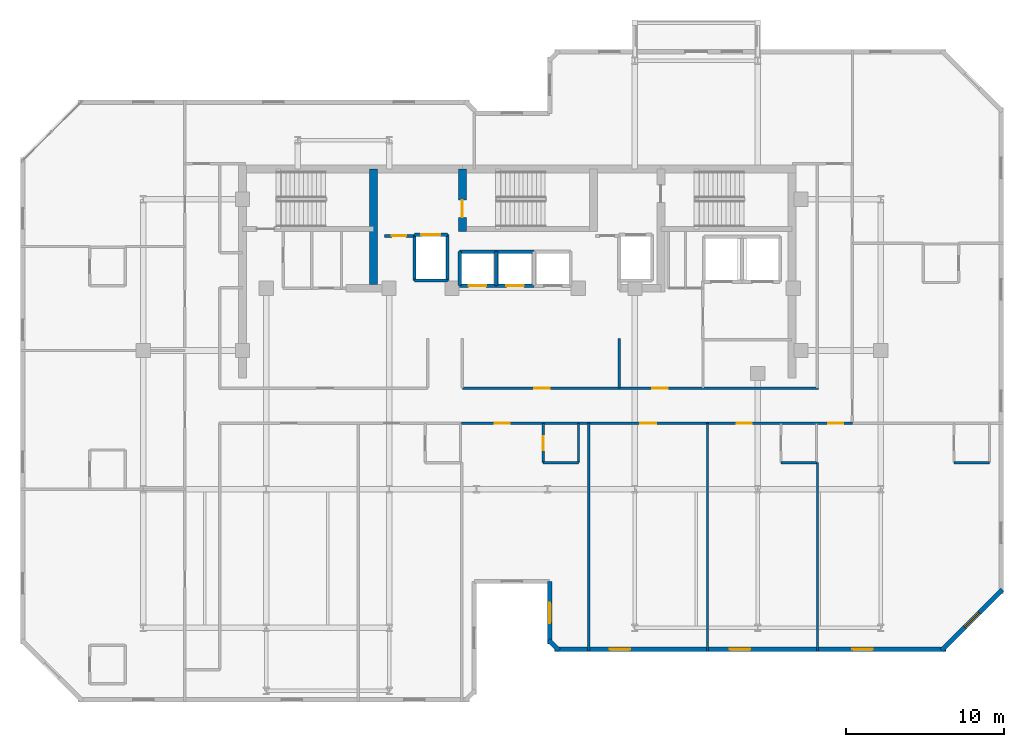
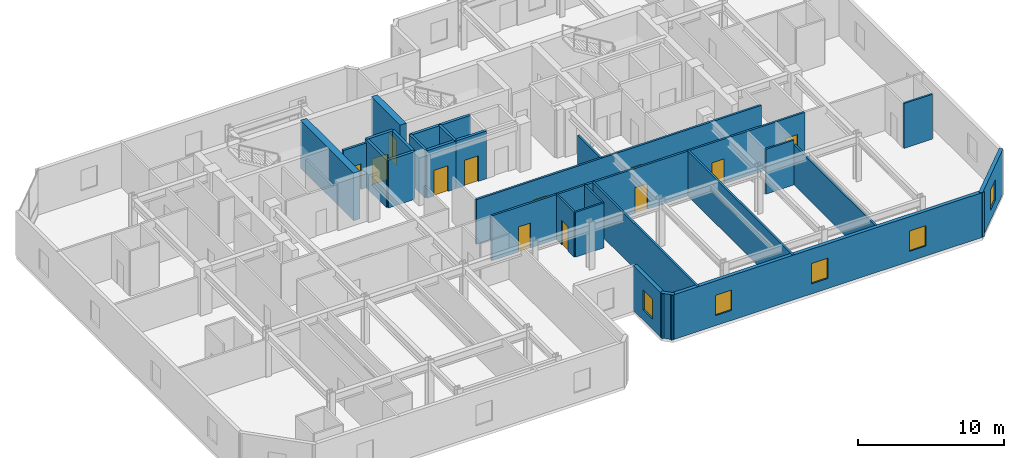
# One storey, part 5 of 9: 28 walls, 12 doors, 5 windows, 17 openings.
"""IFC4 building model written with IfcOpenShell, lengths in metres."""

from ifc_helpers import new_model, si_unit, direction, frame, frame_2d, origin, place, context, subcontext, project, spatial, rectangle, extrude, material, layer, layer_set, type_object, element, fill, save


model = new_model("IFC4")

# Units and contexts
model_context = context("Model", 3, precision=1e-05, world=origin(), true_north=direction((0.0, 1.0)))
body_context = subcontext(model_context, "Body", "Model", "MODEL_VIEW")
ifc_project = project(units=[si_unit("LENGTHUNIT", "METRE"), si_unit("AREAUNIT", "SQUARE_METRE"), si_unit("VOLUMEUNIT", "CUBIC_METRE"), si_unit("PLANEANGLEUNIT", "RADIAN"), si_unit("MASSUNIT", "GRAM", prefix="KILO")], contexts=[model_context])

# Site, building, storey
site_placement = place(None, origin())
site = spatial("IfcSite", under=ifc_project, at=site_placement, CompositionType="ELEMENT")
building_placement = place(site_placement, origin())
building = spatial("IfcBuilding", under=site, at=building_placement, Name="Kestravale Grand Hotel", CompositionType="ELEMENT")
storey_placement = place(building_placement, frame((0.0, 0.0, 257.39990234375)))
storey = spatial("IfcBuildingStorey", under=building, at=storey_placement, Name="L64", CompositionType="ELEMENT", Elevation=257.39990234375)

# Wall
ifc_material_1 = material(Name="Concrete f'c 50 MPa", Category="concrete")
ifc_layer_1 = layer(ifc_material_1, 0.5)
ifc_layer_set_1 = layer_set([ifc_layer_1], Name="EW-CORE-500")
wall_type_1 = type_object("IfcWallType", Name="EW-CORE-500", PredefinedType="SHEAR", material=ifc_layer_set_1)
wall_1_placement = place(storey_placement, frame((30.219970703125, 33.0, 0.0), z_axis=(0.0, 0.0, 1.0), x_axis=(0.0, 1.0, 0.0)))
element("IfcWall", 1, at=wall_1_placement, inside=storey, type_object=wall_type_1, Name="L64 core shear wall X1", PredefinedType="SHEAR", context=body_context, shape_type="SweptSolid", body=[
    extrude(rectangle(XDim=7.320068359375, YDim=0.5, at=frame_2d((3.66015625, 0.0))), origin(), (0.0, 0.0, 1.0), 4.0),
])

# Wall, opening, door
wall_2_placement = place(storey_placement, frame((35.85009765625, 36.3701171875, 0.0), z_axis=(0.0, 0.0, 1.0), x_axis=(0.0, 1.0, 0.0)))
wall_2 = element("IfcWall", 2, at=wall_2_placement, inside=storey, type_object=wall_type_1, Name="L64 core shear wall X2", PredefinedType="SHEAR", context=body_context, shape_type="SweptSolid", body=[
    extrude(rectangle(XDim=3.949951171875, YDim=0.5, at=frame_2d((1.97509765625, 0.0))), origin(), (0.0, 0.0, 1.0), 4.0),
])
opening_1_placement = place(wall_2_placement, frame((0.8798828125, 0.0, 0.0)))
opening_1 = element("IfcOpeningElement", 3, at=opening_1_placement, cuts=wall_2, Name="Opening D-ST-1100", PredefinedType="OPENING", context=body_context, shape_type="SweptSolid", body=[
    extrude(rectangle(XDim=1.10009765625, YDim=2.14990234375, at=frame_2d((0.550048828125, 1.074951171875))), frame((0.0, 0.260009765625, 0.0), z_axis=(0.0, -1.0, 0.0), x_axis=(1.0, 0.0, 0.0)), (0.0, 0.0, 1.0), 0.52001953125),
])
ifc_material_2 = material(Name="Galvanised 90-minute fire-rated steel stair door", Category="steel")
door_type_1 = type_object("IfcDoorType", Name="D-ST-1100", OperationType="NOTDEFINED", PredefinedType="DOOR", material=ifc_material_2)
door_1_placement = place(opening_1_placement, origin())
door_1 = element("IfcDoor", 4, at=door_1_placement, inside=storey, type_object=door_type_1, Name="L64 Stair ST-2 FSAE fire door", OperationType="SINGLE_SWING_RIGHT", OverallHeight=2.14990234375, OverallWidth=1.10009765625, PredefinedType="DOOR", context=body_context, shape_type="SweptSolid", body=[
    extrude(rectangle(XDim=1.10009765625, YDim=2.14990234375, at=frame_2d((0.550048828125, 1.074951171875))), frame((0.0, 0.02490234375, 0.0), z_axis=(0.0, -1.0, 0.0), x_axis=(1.0, 0.0, 0.0)), (0.0, 0.0, 1.0), 0.050048828125),
])
fill(opening_1, door_1)

# Wall, opening, window
ifc_material_3 = material(Name="Precast concrete f'c 45 MPa", Category="concrete")
ifc_layer_2 = layer(ifc_material_3, 0.280029296875)
ifc_layer_set_2 = layer_set([ifc_layer_2], Name="EW-PREC-280")
wall_type_2 = type_object("IfcWallType", Name="EW-PREC-280", PredefinedType="SOLIDWALL", material=ifc_layer_set_2)
wall_3_placement = place(storey_placement, frame((41.389892578125, 14.139892578125, 0.0), z_axis=(0.0, 0.0, 1.0), x_axis=(0.0, -1.0, 0.0)))
wall_3 = element("IfcWall", 5, at=wall_3_placement, inside=storey, type_object=wall_type_2, Name="L64 fluted precast facade wall 5", PredefinedType="SOLIDWALL", context=body_context, shape_type="SweptSolid", body=[
    extrude(rectangle(XDim=3.97998046875, YDim=0.280029296875, at=frame_2d((1.989990234375, 0.0))), origin(), (0.0, 0.0, 1.0), 3.760009765625),
])
opening_2_placement = place(wall_3_placement, frame((1.340087890625, 0.0, 0.85009765625)))
opening_2 = element("IfcOpeningElement", 6, at=opening_2_placement, cuts=wall_3, Name="Opening W-GUEST-1300", PredefinedType="OPENING", context=body_context, shape_type="SweptSolid", body=[
    extrude(rectangle(XDim=1.300048828125, YDim=1.699951171875, at=frame_2d((0.64990234375, 0.85009765625))), frame((0.0, 0.14990234375, 0.0), z_axis=(0.0, -1.0, 0.0), x_axis=(1.0, 0.0, 0.0)), (0.0, 0.0, 1.0), 0.300048828125),
])
ifc_material_4 = material(Name="Insulated low-E double glazing in aluminium frame", Category="aluminium")
window_type = type_object("IfcWindowType", Name="W-GUEST-1300", PartitioningType="SINGLE_PANEL", PredefinedType="WINDOW", material=ifc_material_4)
window_1_placement = place(opening_2_placement, origin())
window_1 = element("IfcWindow", 7, at=window_1_placement, inside=storey, type_object=window_type, Name="L64 exterior window 5.1", OverallHeight=1.699951171875, OverallWidth=1.300048828125, PartitioningType="SINGLE_PANEL", PredefinedType="WINDOW", context=body_context, shape_type="SweptSolid", body=[
    extrude(rectangle(XDim=1.300048828125, YDim=1.699951171875, at=frame_2d((0.64990234375, 0.85009765625))), frame((0.0, 0.030029296875, 0.0), z_axis=(0.0, -1.0, 0.0), x_axis=(1.0, 0.0, 0.0)), (0.0, 0.0, 1.0), 0.06005859375),
])
fill(opening_2, window_1)

# Wall
wall_4_placement = place(storey_placement, frame((41.32080078125, 10.42724609375, 0.0), z_axis=(0.0, 0.0, 1.0), x_axis=(0.707106781187, -0.707106781187, 0.0)))
element("IfcWall", 8, at=wall_4_placement, inside=storey, type_object=wall_type_2, Name="L64 fluted precast facade wall 6", PredefinedType="SOLIDWALL", context=body_context, shape_type="SweptSolid", body=[
    extrude(rectangle(XDim=0.928466796875, YDim=0.280029296875, at=frame_2d((0.46435546875, 0.0))), origin(), (0.0, 0.0, 1.0), 3.760009765625),
])

# Wall, openings, windows
wall_5_placement = place(storey_placement, frame((41.7099609375, 9.840087890625, 0.0), z_axis=(0.0, 0.0, 1.0), x_axis=(1.0, 0.0, 0.0)))
wall_5 = element("IfcWall", 9, at=wall_5_placement, inside=storey, type_object=wall_type_2, Name="L64 fluted precast facade wall 7", PredefinedType="SOLIDWALL", context=body_context, shape_type="SweptSolid", body=[
    extrude(rectangle(XDim=24.830078125, YDim=0.280029296875, at=frame_2d((12.4150390625, 0.0))), origin(), (0.0, 0.0, 1.0), 3.760009765625),
])
opening_3_placement = place(wall_5_placement, frame((3.48828125, 0.0, 0.85009765625)))
opening_3 = element("IfcOpeningElement", 10, at=opening_3_placement, cuts=wall_5, Name="Opening W-GUEST-1300", PredefinedType="OPENING", context=body_context, shape_type="SweptSolid", body=[
    extrude(rectangle(XDim=1.300048828125, YDim=1.699951171875, at=frame_2d((0.64990234375, 0.85009765625))), frame((0.0, 0.14990234375, 0.0), z_axis=(0.0, -1.0, 0.0), x_axis=(1.0, 0.0, 0.0)), (0.0, 0.0, 1.0), 0.300048828125),
])
opening_4_placement = place(wall_5_placement, frame((11.114990234375, 0.0, 0.85009765625)))
opening_4 = element("IfcOpeningElement", 11, at=opening_4_placement, cuts=wall_5, Name="Opening W-GUEST-1300", PredefinedType="OPENING", context=body_context, shape_type="SweptSolid", body=[
    extrude(rectangle(XDim=1.300048828125, YDim=1.699951171875, at=frame_2d((0.64990234375, 0.85009765625))), frame((0.0, 0.14990234375, 0.0), z_axis=(0.0, -1.0, 0.0), x_axis=(1.0, 0.0, 0.0)), (0.0, 0.0, 1.0), 0.300048828125),
])
opening_5_placement = place(wall_5_placement, frame((18.8916015625, 0.0, 0.85009765625)))
opening_5 = element("IfcOpeningElement", 12, at=opening_5_placement, cuts=wall_5, Name="Opening W-GUEST-1300", PredefinedType="OPENING", context=body_context, shape_type="SweptSolid", body=[
    extrude(rectangle(XDim=1.300048828125, YDim=1.699951171875, at=frame_2d((0.64990234375, 0.85009765625))), frame((0.0, 0.14990234375, 0.0), z_axis=(0.0, -1.0, 0.0), x_axis=(1.0, 0.0, 0.0)), (0.0, 0.0, 1.0), 0.300048828125),
])
window_2_placement = place(opening_3_placement, origin())
window_2 = element("IfcWindow", 13, at=window_2_placement, inside=storey, type_object=window_type, Name="L64 exterior window 7.1", OverallHeight=1.699951171875, OverallWidth=1.300048828125, PartitioningType="SINGLE_PANEL", PredefinedType="WINDOW", context=body_context, shape_type="SweptSolid", body=[
    extrude(rectangle(XDim=1.300048828125, YDim=1.699951171875, at=frame_2d((0.64990234375, 0.85009765625))), frame((0.0, 0.030029296875, 0.0), z_axis=(0.0, -1.0, 0.0), x_axis=(1.0, 0.0, 0.0)), (0.0, 0.0, 1.0), 0.06005859375),
])
fill(opening_3, window_2)
window_3_placement = place(opening_4_placement, origin())
window_3 = element("IfcWindow", 14, at=window_3_placement, inside=storey, type_object=window_type, Name="L64 exterior window 7.2", OverallHeight=1.699951171875, OverallWidth=1.300048828125, PartitioningType="SINGLE_PANEL", PredefinedType="WINDOW", context=body_context, shape_type="SweptSolid", body=[
    extrude(rectangle(XDim=1.300048828125, YDim=1.699951171875, at=frame_2d((0.64990234375, 0.85009765625))), frame((0.0, 0.030029296875, 0.0), z_axis=(0.0, -1.0, 0.0), x_axis=(1.0, 0.0, 0.0)), (0.0, 0.0, 1.0), 0.06005859375),
])
fill(opening_4, window_3)
window_4_placement = place(opening_5_placement, origin())
window_4 = element("IfcWindow", 15, at=window_4_placement, inside=storey, type_object=window_type, Name="L64 exterior window 7.3", OverallHeight=1.699951171875, OverallWidth=1.300048828125, PartitioningType="SINGLE_PANEL", PredefinedType="WINDOW", context=body_context, shape_type="SweptSolid", body=[
    extrude(rectangle(XDim=1.300048828125, YDim=1.699951171875, at=frame_2d((0.64990234375, 0.85009765625))), frame((0.0, 0.030029296875, 0.0), z_axis=(0.0, -1.0, 0.0), x_axis=(1.0, 0.0, 0.0)), (0.0, 0.0, 1.0), 0.06005859375),
])
fill(opening_5, window_4)

# Wall, opening, window
wall_6_placement = place(storey_placement, frame((66.272705078125, 9.770751953125, 0.0), z_axis=(0.0, 0.0, 1.0), x_axis=(0.707129162587, 0.707084399077, 0.0)))
wall_6 = element("IfcWall", 16, at=wall_6_placement, inside=storey, type_object=wall_type_2, Name="L64 fluted precast facade wall 8", PredefinedType="SOLIDWALL", context=body_context, shape_type="SweptSolid", body=[
    extrude(rectangle(XDim=5.4541015625, YDim=0.280029296875, at=frame_2d((2.72705078125, 0.0))), origin(), (0.0, 0.0, 1.0), 3.760009765625),
])
opening_6_placement = place(wall_6_placement, frame((2.076904296875, 0.0, 0.85009765625)))
opening_6 = element("IfcOpeningElement", 17, at=opening_6_placement, cuts=wall_6, Name="Opening W-GUEST-1300", PredefinedType="OPENING", context=body_context, shape_type="SweptSolid", body=[
    extrude(rectangle(XDim=1.300048828125, YDim=1.699951171875, at=frame_2d((0.64990234375, 0.85009765625))), frame((0.0, 0.14990234375, 0.0), z_axis=(0.0, -1.0, 0.0), x_axis=(1.0, 0.0, 0.0)), (0.0, 0.0, 1.0), 0.300048828125),
])
window_5_placement = place(opening_6_placement, origin())
window_5 = element("IfcWindow", 18, at=window_5_placement, inside=storey, type_object=window_type, Name="L64 exterior window 8.1", OverallHeight=1.699951171875, OverallWidth=1.300048828125, PartitioningType="SINGLE_PANEL", PredefinedType="WINDOW", context=body_context, shape_type="SweptSolid", body=[
    extrude(rectangle(XDim=1.300048828125, YDim=1.699951171875, at=frame_2d((0.64990234375, 0.85009765625))), frame((0.0, 0.030029296875, 0.0), z_axis=(0.0, -1.0, 0.0), x_axis=(1.0, 0.0, 0.0)), (0.0, 0.0, 1.0), 0.06005859375),
])
fill(opening_6, window_5)

# Wall, openings, doors
ifc_material_5 = material(Name="Acoustic fire-rated gypsum board partition", Category="other")
ifc_layer_3 = layer(ifc_material_5, 0.159912109375)
ifc_layer_set_3 = layer_set([ifc_layer_3], Name="IW-CORR-160")
wall_type_3 = type_object("IfcWallType", Name="IW-CORR-160", PredefinedType="PARTITIONING", material=ifc_layer_set_3)
wall_7_placement = place(storey_placement, frame((35.85009765625, 26.409912109375, 0.0), z_axis=(0.0, 0.0, 1.0), x_axis=(1.0, 0.0, 0.0)))
wall_7 = element("IfcWall", 19, at=wall_7_placement, inside=storey, type_object=wall_type_3, Name="W-L64-CE-N", PredefinedType="PARTITIONING", context=body_context, shape_type="SweptSolid", body=[
    extrude(rectangle(XDim=22.599853515625, YDim=0.159912109375, at=frame_2d((11.2998046875, 0.0))), origin(), (0.0, 0.0, 1.0), 3.760009765625),
])
opening_7_placement = place(wall_7_placement, frame((4.550048828125, 0.0, 0.0)))
opening_7 = element("IfcOpeningElement", 20, at=opening_7_placement, cuts=wall_7, Name="Opening D-GUEST-1000", PredefinedType="OPENING", context=body_context, shape_type="SweptSolid", body=[
    extrude(rectangle(XDim=1.0, YDim=2.14990234375, at=frame_2d((0.5, 1.074951171875))), frame((0.0, 0.08984375, 0.0), z_axis=(0.0, -1.0, 0.0), x_axis=(1.0, 0.0, 0.0)), (0.0, 0.0, 1.0), 0.179931640625),
])
opening_8_placement = place(wall_7_placement, frame((12.050048828125, 0.0, 0.0)))
opening_8 = element("IfcOpeningElement", 21, at=opening_8_placement, cuts=wall_7, Name="Opening D-GUEST-1000", PredefinedType="OPENING", context=body_context, shape_type="SweptSolid", body=[
    extrude(rectangle(XDim=1.0, YDim=2.14990234375, at=frame_2d((0.5, 1.074951171875))), frame((0.0, 0.08984375, 0.0), z_axis=(0.0, -1.0, 0.0), x_axis=(1.0, 0.0, 0.0)), (0.0, 0.0, 1.0), 0.179931640625),
])
ifc_material_6 = material(Name="Accessible walnut veneer hotel entrance fire door", Category="wood")
door_type_2 = type_object("IfcDoorType", Name="D-GUEST-1000", OperationType="NOTDEFINED", PredefinedType="DOOR", material=ifc_material_6)
door_2_placement = place(opening_7_placement, origin())
door_2 = element("IfcDoor", 22, at=door_2_placement, inside=storey, type_object=door_type_2, Name="D-L64-RECL-E1", OperationType="SINGLE_SWING_RIGHT", OverallHeight=2.14990234375, OverallWidth=1.0, PredefinedType="DOOR", context=body_context, shape_type="SweptSolid", body=[
    extrude(rectangle(XDim=1.0, YDim=2.14990234375, at=frame_2d((0.5, 1.074951171875))), frame((0.0, 0.02490234375, 0.0), z_axis=(0.0, -1.0, 0.0), x_axis=(1.0, 0.0, 0.0)), (0.0, 0.0, 1.0), 0.050048828125),
])
fill(opening_7, door_2)
door_3_placement = place(opening_8_placement, origin())
door_3 = element("IfcDoor", 23, at=door_3_placement, inside=storey, type_object=door_type_2, Name="D-L64-RECL-E2", OperationType="SINGLE_SWING_LEFT", OverallHeight=2.14990234375, OverallWidth=1.0, PredefinedType="DOOR", context=body_context, shape_type="SweptSolid", body=[
    extrude(rectangle(XDim=1.0, YDim=2.14990234375, at=frame_2d((0.5, 1.074951171875))), frame((0.0, 0.02490234375, 0.0), z_axis=(0.0, -1.0, 0.0), x_axis=(1.0, 0.0, 0.0)), (0.0, 0.0, 1.0), 0.050048828125),
])
fill(opening_8, door_3)

wall_8_placement = place(storey_placement, frame((35.800048828125, 24.18994140625, 0.0), z_axis=(0.0, 0.0, 1.0), x_axis=(1.0, 0.0, 0.0)))
wall_8 = element("IfcWall", 24, at=wall_8_placement, inside=storey, type_object=wall_type_3, Name="W-L64-CE-S", PredefinedType="PARTITIONING", context=body_context, shape_type="SweptSolid", body=[
    extrude(rectangle(XDim=24.81005859375, YDim=0.159912109375, at=frame_2d((12.405029296875, 0.0))), origin(), (0.0, 0.0, 1.0), 3.760009765625),
])
opening_9_placement = place(wall_8_placement, frame((2.114990234375, 0.0, 0.0)))
opening_9 = element("IfcOpeningElement", 25, at=opening_9_placement, cuts=wall_8, Name="Opening D-GUEST-950", PredefinedType="OPENING", context=body_context, shape_type="SweptSolid", body=[
    extrude(rectangle(XDim=0.949951171875, YDim=2.10009765625, at=frame_2d((0.47509765625, 1.050048828125))), frame((0.0, 0.08984375, 0.0), z_axis=(0.0, -1.0, 0.0), x_axis=(1.0, 0.0, 0.0)), (0.0, 0.0, 1.0), 0.179931640625),
])
opening_10_placement = place(wall_8_placement, frame((11.344970703125, 0.0, 0.0)))
opening_10 = element("IfcOpeningElement", 26, at=opening_10_placement, cuts=wall_8, Name="Opening D-GUEST-1000", PredefinedType="OPENING", context=body_context, shape_type="SweptSolid", body=[
    extrude(rectangle(XDim=1.0, YDim=2.14990234375, at=frame_2d((0.5, 1.074951171875))), frame((0.0, 0.08984375, 0.0), z_axis=(0.0, -1.0, 0.0), x_axis=(1.0, 0.0, 0.0)), (0.0, 0.0, 1.0), 0.179931640625),
])
opening_11_placement = place(wall_8_placement, frame((17.469970703125, 0.0, 0.0)))
opening_11 = element("IfcOpeningElement", 27, at=opening_11_placement, cuts=wall_8, Name="Opening D-GUEST-950", PredefinedType="OPENING", context=body_context, shape_type="SweptSolid", body=[
    extrude(rectangle(XDim=0.949951171875, YDim=2.10009765625, at=frame_2d((0.47509765625, 1.050048828125))), frame((0.0, 0.08984375, 0.0), z_axis=(0.0, -1.0, 0.0), x_axis=(1.0, 0.0, 0.0)), (0.0, 0.0, 1.0), 0.179931640625),
])
opening_12_placement = place(wall_8_placement, frame((23.264892578125, 0.0, 0.0)))
opening_12 = element("IfcOpeningElement", 28, at=opening_12_placement, cuts=wall_8, Name="Opening D-GUEST-950", PredefinedType="OPENING", context=body_context, shape_type="SweptSolid", body=[
    extrude(rectangle(XDim=0.949951171875, YDim=2.10009765625, at=frame_2d((0.47509765625, 1.050048828125))), frame((0.0, 0.08984375, 0.0), z_axis=(0.0, -1.0, 0.0), x_axis=(1.0, 0.0, 0.0)), (0.0, 0.0, 1.0), 0.179931640625),
])
door_4_placement = place(opening_10_placement, origin())
door_4 = element("IfcDoor", 29, at=door_4_placement, inside=storey, type_object=door_type_2, Name="D-L64-AME", OperationType="SINGLE_SWING_LEFT", OverallHeight=2.14990234375, OverallWidth=1.0, PredefinedType="DOOR", context=body_context, shape_type="SweptSolid", body=[
    extrude(rectangle(XDim=1.0, YDim=2.14990234375, at=frame_2d((0.5, 1.074951171875))), frame((0.0, 0.02490234375, 0.0), z_axis=(0.0, -1.0, 0.0), x_axis=(1.0, 0.0, 0.0)), (0.0, 0.0, 1.0), 0.050048828125),
])
fill(opening_10, door_4)
ifc_material_7 = material(Name="Walnut veneer hotel guestroom entrance fire door", Category="wood")
door_type_3 = type_object("IfcDoorType", Name="D-GUEST-950", OperationType="NOTDEFINED", PredefinedType="DOOR", material=ifc_material_7)
door_5_placement = place(opening_9_placement, origin())
door_5 = element("IfcDoor", 30, at=door_5_placement, inside=storey, type_object=door_type_3, Name="D-L64-U02-ENT", OperationType="SINGLE_SWING_RIGHT", OverallHeight=2.10009765625, OverallWidth=0.949951171875, PredefinedType="DOOR", context=body_context, shape_type="SweptSolid", body=[
    extrude(rectangle(XDim=0.949951171875, YDim=2.10009765625, at=frame_2d((0.47509765625, 1.050048828125))), frame((0.0, 0.02490234375, 0.0), z_axis=(0.0, -1.0, 0.0), x_axis=(1.0, 0.0, 0.0)), (0.0, 0.0, 1.0), 0.050048828125),
])
fill(opening_9, door_5)
door_6_placement = place(opening_11_placement, origin())
door_6 = element("IfcDoor", 31, at=door_6_placement, inside=storey, type_object=door_type_3, Name="D-L64-U03-ENT", OperationType="SINGLE_SWING_LEFT", OverallHeight=2.10009765625, OverallWidth=0.949951171875, PredefinedType="DOOR", context=body_context, shape_type="SweptSolid", body=[
    extrude(rectangle(XDim=0.949951171875, YDim=2.10009765625, at=frame_2d((0.47509765625, 1.050048828125))), frame((0.0, 0.02490234375, 0.0), z_axis=(0.0, -1.0, 0.0), x_axis=(1.0, 0.0, 0.0)), (0.0, 0.0, 1.0), 0.050048828125),
])
fill(opening_11, door_6)
door_7_placement = place(opening_12_placement, origin())
door_7 = element("IfcDoor", 32, at=door_7_placement, inside=storey, type_object=door_type_3, Name="D-L64-U07-ENT", OperationType="SINGLE_SWING_RIGHT", OverallHeight=2.10009765625, OverallWidth=0.949951171875, PredefinedType="DOOR", context=body_context, shape_type="SweptSolid", body=[
    extrude(rectangle(XDim=0.949951171875, YDim=2.10009765625, at=frame_2d((0.47509765625, 1.050048828125))), frame((0.0, 0.02490234375, 0.0), z_axis=(0.0, -1.0, 0.0), x_axis=(1.0, 0.0, 0.0)), (0.0, 0.0, 1.0), 0.050048828125),
])
fill(opening_12, door_7)

# Wall, opening, door
ifc_material_8 = material(Name="Fire-rated gypsum board on steel studs with mineral wool", Category="steel")
ifc_layer_4 = layer(ifc_material_8, 0.179931640625)
ifc_layer_set_4 = layer_set([ifc_layer_4], Name="IW-FSAE-180")
wall_type_4 = type_object("IfcWallType", Name="IW-FSAE-180", PredefinedType="PARTITIONING", material=ifc_layer_set_4)
wall_9_placement = place(storey_placement, frame((30.89990234375, 36.080078125, 0.0), z_axis=(0.0, 0.0, 1.0), x_axis=(1.0, 0.0, 0.0)))
wall_9 = element("IfcWall", 33, at=wall_9_placement, inside=storey, type_object=wall_type_4, Name="L64 FSAE Lobby 1 smoke barrier", PredefinedType="PARTITIONING", context=body_context, shape_type="SweptSolid", body=[
    extrude(rectangle(XDim=1.85009765625, YDim=0.179931640625, at=frame_2d((0.925048828125, 0.0))), origin(), (0.0, 0.0, 1.0), 3.760009765625),
])
opening_13_placement = place(wall_9_placement, frame((0.47998046875, 0.0, 0.0)))
opening_13 = element("IfcOpeningElement", 34, at=opening_13_placement, cuts=wall_9, Name="Opening D-FSAE-1000", PredefinedType="OPENING", context=body_context, shape_type="SweptSolid", body=[
    extrude(rectangle(XDim=0.89990234375, YDim=2.14990234375, at=frame_2d((0.449951171875, 1.074951171875))), frame((0.0, 0.099853515625, 0.0), z_axis=(0.0, -1.0, 0.0), x_axis=(1.0, 0.0, 0.0)), (0.0, 0.0, 1.0), 0.199951171875),
])
ifc_material_9 = material(Name="Smoke-gasketed FSAE lobby fire door", Category="steel")
door_type_4 = type_object("IfcDoorType", Name="D-FSAE-1000", OperationType="NOTDEFINED", PredefinedType="DOOR", material=ifc_material_9)
door_8_placement = place(opening_13_placement, origin())
door_8 = element("IfcDoor", 35, at=door_8_placement, inside=storey, type_object=door_type_4, Name="L64 FSAE Lobby 1 fire door", OperationType="SINGLE_SWING_RIGHT", OverallHeight=2.14990234375, OverallWidth=0.89990234375, PredefinedType="DOOR", context=body_context, shape_type="SweptSolid", body=[
    extrude(rectangle(XDim=0.89990234375, YDim=2.14990234375, at=frame_2d((0.449951171875, 1.074951171875))), frame((0.0, 0.02490234375, 0.0), z_axis=(0.0, -1.0, 0.0), x_axis=(1.0, 0.0, 0.0)), (0.0, 0.0, 1.0), 0.050048828125),
])
fill(opening_13, door_8)

ifc_material_10 = material(Name="Moisture-resistant tile-backer plumbing chase wall", Category="other")
ifc_layer_5 = layer(ifc_material_10, 0.139892578125)
ifc_layer_set_5 = layer_set([ifc_layer_5], Name="IW-PLB-140")
wall_type_5 = type_object("IfcWallType", Name="IW-PLB-140", PredefinedType="PLUMBINGWALL", material=ifc_layer_set_5)
wall_10_placement = place(storey_placement, frame((40.97998046875, 21.679931640625, 0.0), z_axis=(0.0, 0.0, 1.0), x_axis=(0.0, 1.0, 0.0)))
wall_10 = element("IfcWall", 36, at=wall_10_placement, inside=storey, type_object=wall_type_5, Name="W-L64-U02-BW", PredefinedType="PLUMBINGWALL", context=body_context, shape_type="SweptSolid", body=[
    extrude(rectangle(XDim=2.489990234375, YDim=0.139892578125, at=frame_2d((1.2451171875, 0.0))), origin(), (0.0, 0.0, 1.0), 3.760009765625),
])
opening_14_placement = place(wall_10_placement, frame((0.804931640625, 0.0, 0.0)))
opening_14 = element("IfcOpeningElement", 37, at=opening_14_placement, cuts=wall_10, Name="Opening D-BATH-880", PredefinedType="OPENING", context=body_context, shape_type="SweptSolid", body=[
    extrude(rectangle(XDim=0.8798828125, YDim=2.050048828125, at=frame_2d((0.43994140625, 1.02490234375))), frame((0.0, 0.079833984375, 0.0), z_axis=(0.0, -1.0, 0.0), x_axis=(1.0, 0.0, 0.0)), (0.0, 0.0, 1.0), 0.159912109375),
])
ifc_material_11 = material(Name="Moisture-sealed walnut en-suite bathroom door", Category="wood")
door_type_5 = type_object("IfcDoorType", Name="D-BATH-880", OperationType="NOTDEFINED", PredefinedType="DOOR", material=ifc_material_11)
door_9_placement = place(opening_14_placement, origin())
door_9 = element("IfcDoor", 38, at=door_9_placement, inside=storey, type_object=door_type_5, Name="D-L64-U02-BATH", OperationType="SINGLE_SWING_LEFT", OverallHeight=2.050048828125, OverallWidth=0.8798828125, PredefinedType="DOOR", context=body_context, shape_type="SweptSolid", body=[
    extrude(rectangle(XDim=0.8798828125, YDim=2.050048828125, at=frame_2d((0.43994140625, 1.02490234375))), frame((0.0, 0.02490234375, 0.0), z_axis=(0.0, -1.0, 0.0), x_axis=(1.0, 0.0, 0.0)), (0.0, 0.0, 1.0), 0.050048828125),
])
fill(opening_14, door_9)

# Walls
wall_11_placement = place(storey_placement, frame((43.22998046875, 21.679931640625, 0.0), z_axis=(0.0, 0.0, 1.0), x_axis=(0.0, 1.0, 0.0)))
element("IfcWall", 39, at=wall_11_placement, inside=storey, type_object=wall_type_5, Name="W-L64-U02-BE", PredefinedType="PLUMBINGWALL", context=body_context, shape_type="SweptSolid", body=[
    extrude(rectangle(XDim=2.489990234375, YDim=0.139892578125, at=frame_2d((1.2451171875, 0.0))), origin(), (0.0, 0.0, 1.0), 3.760009765625),
])
for number, where, z_axis, x_axis, name in (
    (40, (40.97998046875, 21.679931640625, 0.0), (0.0, 0.0, 1.0), (1.0, 0.0, 0.0), "W-L64-U02-BS"),
    (41, (56.080078125, 21.679931640625, 0.0), (0.0, 0.0, 1.0), (1.0, 0.0, 0.0), "W-L64-U03-BS"),
    (42, (67.050048828125, 21.679931640625, 0.0), (0.0, 0.0, 1.0), (1.0, 0.0, 0.0), "W-L64-U07-BS"),
):
    element("IfcWall", number, at=place(storey_placement, frame(where, z_axis=z_axis, x_axis=x_axis)), inside=storey, type_object=wall_type_5, Name=name, PredefinedType="PLUMBINGWALL", context=body_context, shape_type="SweptSolid", body=[
        extrude(rectangle(XDim=2.25, YDim=0.139892578125, at=frame_2d((1.125, 0.0))), origin(), (0.0, 0.0, 1.0), 3.760009765625),
    ])
ifc_material_12 = material(Name="Concrete f'c 45 MPa", Category="concrete")
ifc_layer_6 = layer(ifc_material_12, 0.199951171875)
ifc_layer_set_6 = layer_set([ifc_layer_6], Name="IW-SHAFT-200")
wall_type_6 = type_object("IfcWallType", Name="IW-SHAFT-200", PredefinedType="SHEAR", material=ifc_layer_set_6)
for number, where, z_axis, x_axis, name in (
    (43, (35.679931640625, 32.919921875, 0.0), (0.0, 0.0, 1.0), (0.0, 1.0, 0.0), "L64 PL-X1 west shaft wall"),
    (44, (38.0, 32.919921875, 0.0), (0.0, 0.0, 1.0), (0.0, 1.0, 0.0), "L64 PL-X2 west shaft wall"),
):
    element("IfcWall", number, at=place(storey_placement, frame(where, z_axis=z_axis, x_axis=x_axis)), inside=storey, type_object=wall_type_6, Name=name, PredefinedType="SHEAR", context=body_context, shape_type="SweptSolid", body=[
        extrude(rectangle(XDim=2.16015625, YDim=0.199951171875, at=frame_2d((1.080078125, 0.0))), origin(), (0.0, 0.0, 1.0), 4.0),
    ])
for number, where, z_axis, x_axis, name in (
    (45, (32.804931640625, 33.2451171875, 0.0), (0.0, 0.0, 1.0), (0.0, 1.0, 0.0), "L64 FL-1 west shaft wall"),
    (46, (34.89501953125, 33.2451171875, 0.0), (0.0, 0.0, 1.0), (0.0, 1.0, 0.0), "L64 FL-1 east shaft wall"),
):
    element("IfcWall", number, at=place(storey_placement, frame(where, z_axis=z_axis, x_axis=x_axis)), inside=storey, type_object=wall_type_6, Name=name, PredefinedType="SHEAR", context=body_context, shape_type="SweptSolid", body=[
        extrude(rectangle(XDim=2.909912109375, YDim=0.199951171875, at=frame_2d((1.455078125, 0.0))), origin(), (0.0, 0.0, 1.0), 4.0),
    ])
ifc_material_13 = material(Name="Concrete f'c 45 MPa", Category="concrete")
ifc_layer_7 = layer(ifc_material_13, 0.219970703125)
ifc_layer_set_7 = layer_set([ifc_layer_7], Name="IW-SHAFT-220")
wall_type_7 = type_object("IfcWallType", Name="IW-SHAFT-220", PredefinedType="SHEAR", material=ifc_layer_set_7)
wall_12_placement = place(storey_placement, frame((35.679931640625, 35.080078125, 0.0), z_axis=(0.0, 0.0, 1.0), x_axis=(1.0, 0.0, 0.0)))
element("IfcWall", 47, at=wall_12_placement, inside=storey, type_object=wall_type_7, Name="L64 PL-X1 north shaft wall", PredefinedType="SHEAR", context=body_context, shape_type="SweptSolid", body=[
    extrude(rectangle(XDim=2.320068359375, YDim=0.219970703125, at=frame_2d((1.16015625, 0.0))), origin(), (0.0, 0.0, 1.0), 4.0),
])

# Wall, opening, door
wall_13_placement = place(storey_placement, frame((35.679931640625, 32.919921875, 0.0), z_axis=(0.0, 0.0, 1.0), x_axis=(1.0, 0.0, 0.0)))
wall_13 = element("IfcWall", 48, at=wall_13_placement, inside=storey, type_object=wall_type_7, Name="L64 PL-X1 south shaft wall", PredefinedType="SHEAR", context=body_context, shape_type="SweptSolid", body=[
    extrude(rectangle(XDim=2.320068359375, YDim=0.219970703125, at=frame_2d((1.16015625, 0.0))), origin(), (0.0, 0.0, 1.0), 4.0),
])
opening_15_placement = place(wall_13_placement, frame((0.570068359375, 0.0, 0.0)))
opening_15 = element("IfcOpeningElement", 49, at=opening_15_placement, cuts=wall_13, Name="Opening LD-PAX-1100", PredefinedType="OPENING", context=body_context, shape_type="SweptSolid", body=[
    extrude(rectangle(XDim=1.10009765625, YDim=2.14990234375, at=frame_2d((0.550048828125, 1.074951171875))), frame((0.0, 0.119873046875, 0.0), z_axis=(0.0, -1.0, 0.0), x_axis=(1.0, 0.0, 0.0)), (0.0, 0.0, 1.0), 0.239990234375),
])
ifc_material_14 = material(Name="Champagne-bronze center-opening sliding elevator landing door", Category="steel")
door_type_6 = type_object("IfcDoorType", Name="LD-PAX-1100", OperationType="NOTDEFINED", PredefinedType="DOOR", material=ifc_material_14)
door_10_placement = place(opening_15_placement, origin())
door_10 = element("IfcDoor", 50, at=door_10_placement, inside=storey, type_object=door_type_6, Name="L64 PL-X1 elevator landing sliding door", OperationType="DOUBLE_DOOR_SLIDING", OverallHeight=2.14990234375, OverallWidth=1.10009765625, PredefinedType="DOOR", context=body_context, shape_type="SweptSolid", body=[
    extrude(rectangle(XDim=1.10009765625, YDim=2.14990234375, at=frame_2d((0.550048828125, 1.074951171875))), frame((0.0, 0.02490234375, 0.0), z_axis=(0.0, -1.0, 0.0), x_axis=(1.0, 0.0, 0.0)), (0.0, 0.0, 1.0), 0.050048828125),
])
fill(opening_15, door_10)

# Wall
wall_14_placement = place(storey_placement, frame((38.0, 35.080078125, 0.0), z_axis=(0.0, 0.0, 1.0), x_axis=(1.0, 0.0, 0.0)))
element("IfcWall", 51, at=wall_14_placement, inside=storey, type_object=wall_type_7, Name="L64 PL-X2 north shaft wall", PredefinedType="SHEAR", context=body_context, shape_type="SweptSolid", body=[
    extrude(rectangle(XDim=2.39990234375, YDim=0.219970703125, at=frame_2d((1.199951171875, 0.0))), origin(), (0.0, 0.0, 1.0), 4.0),
])

# Wall, opening, door
wall_15_placement = place(storey_placement, frame((38.0, 32.919921875, 0.0), z_axis=(0.0, 0.0, 1.0), x_axis=(1.0, 0.0, 0.0)))
wall_15 = element("IfcWall", 52, at=wall_15_placement, inside=storey, type_object=wall_type_7, Name="L64 PL-X2 south shaft wall", PredefinedType="SHEAR", context=body_context, shape_type="SweptSolid", body=[
    extrude(rectangle(XDim=2.39990234375, YDim=0.219970703125, at=frame_2d((1.199951171875, 0.0))), origin(), (0.0, 0.0, 1.0), 4.0),
])
opening_16_placement = place(wall_15_placement, frame((0.64990234375, 0.0, 0.0)))
opening_16 = element("IfcOpeningElement", 53, at=opening_16_placement, cuts=wall_15, Name="Opening LD-PAX-1100", PredefinedType="OPENING", context=body_context, shape_type="SweptSolid", body=[
    extrude(rectangle(XDim=1.10009765625, YDim=2.14990234375, at=frame_2d((0.550048828125, 1.074951171875))), frame((0.0, 0.119873046875, 0.0), z_axis=(0.0, -1.0, 0.0), x_axis=(1.0, 0.0, 0.0)), (0.0, 0.0, 1.0), 0.239990234375),
])
door_11_placement = place(opening_16_placement, origin())
door_11 = element("IfcDoor", 54, at=door_11_placement, inside=storey, type_object=door_type_6, Name="L64 PL-X2 elevator landing sliding door", OperationType="DOUBLE_DOOR_SLIDING", OverallHeight=2.14990234375, OverallWidth=1.10009765625, PredefinedType="DOOR", context=body_context, shape_type="SweptSolid", body=[
    extrude(rectangle(XDim=1.10009765625, YDim=2.14990234375, at=frame_2d((0.550048828125, 1.074951171875))), frame((0.0, 0.02490234375, 0.0), z_axis=(0.0, -1.0, 0.0), x_axis=(1.0, 0.0, 0.0)), (0.0, 0.0, 1.0), 0.050048828125),
])
fill(opening_16, door_11)

wall_16_placement = place(storey_placement, frame((32.804931640625, 36.155029296875, 0.0), z_axis=(0.0, 0.0, 1.0), x_axis=(1.0, 0.0, 0.0)))
wall_16 = element("IfcWall", 55, at=wall_16_placement, inside=storey, type_object=wall_type_7, Name="L64 FL-1 north shaft wall", PredefinedType="SHEAR", context=body_context, shape_type="SweptSolid", body=[
    extrude(rectangle(XDim=2.090087890625, YDim=0.219970703125, at=frame_2d((1.044921875, 0.0))), origin(), (0.0, 0.0, 1.0), 4.0),
])
opening_17_placement = place(wall_16_placement, frame((0.445068359375, 0.0, 0.0)))
opening_17 = element("IfcOpeningElement", 56, at=opening_17_placement, cuts=wall_16, Name="Opening LD-FSAE-1200", PredefinedType="OPENING", context=body_context, shape_type="SweptSolid", body=[
    extrude(rectangle(XDim=1.199951171875, YDim=2.14990234375, at=frame_2d((0.60009765625, 1.074951171875))), frame((0.0, 0.119873046875, 0.0), z_axis=(0.0, -1.0, 0.0), x_axis=(1.0, 0.0, 0.0)), (0.0, 0.0, 1.0), 0.239990234375),
])
ifc_material_15 = material(Name="Stainless fire-service sliding elevator landing door", Category="steel")
door_type_7 = type_object("IfcDoorType", Name="LD-FSAE-1200", OperationType="NOTDEFINED", PredefinedType="DOOR", material=ifc_material_15)
door_12_placement = place(opening_17_placement, origin())
door_12 = element("IfcDoor", 57, at=door_12_placement, inside=storey, type_object=door_type_7, Name="L64 FL-1 elevator landing sliding door", OperationType="DOUBLE_DOOR_SLIDING", OverallHeight=2.14990234375, OverallWidth=1.199951171875, PredefinedType="DOOR", context=body_context, shape_type="SweptSolid", body=[
    extrude(rectangle(XDim=1.199951171875, YDim=2.14990234375, at=frame_2d((0.60009765625, 1.074951171875))), frame((0.0, 0.02490234375, 0.0), z_axis=(0.0, -1.0, 0.0), x_axis=(1.0, 0.0, 0.0)), (0.0, 0.0, 1.0), 0.050048828125),
])
fill(opening_17, door_12)

# Walls
wall_17_placement = place(storey_placement, frame((32.804931640625, 33.2451171875, 0.0), z_axis=(0.0, 0.0, 1.0), x_axis=(1.0, 0.0, 0.0)))
element("IfcWall", 58, at=wall_17_placement, inside=storey, type_object=wall_type_7, Name="L64 FL-1 south shaft wall", PredefinedType="SHEAR", context=body_context, shape_type="SweptSolid", body=[
    extrude(rectangle(XDim=2.090087890625, YDim=0.219970703125, at=frame_2d((1.044921875, 0.0))), origin(), (0.0, 0.0, 1.0), 4.0),
])
ifc_material_16 = material(Name="Double-stud STC 52 acoustic demising partition", Category="other")
ifc_layer_8 = layer(ifc_material_16, 0.14990234375)
ifc_layer_set_8 = layer_set([ifc_layer_8], Name="IW-UNIT-150")
wall_type_8 = type_object("IfcWallType", Name="IW-UNIT-150", PredefinedType="PARTITIONING", material=ifc_layer_set_8)
wall_18_placement = place(storey_placement, frame((45.800048828125, 26.409912109375, 0.0), z_axis=(0.0, 0.0, 1.0), x_axis=(0.0, 1.0, 0.0)))
element("IfcWall", 59, at=wall_18_placement, inside=storey, type_object=wall_type_8, Name="W-L64-RCLE-M", PredefinedType="PARTITIONING", context=body_context, shape_type="SweptSolid", body=[
    extrude(rectangle(XDim=3.14013671875, YDim=0.14990234375, at=frame_2d((1.570068359375, 0.0))), origin(), (0.0, 0.0, 1.0), 3.760009765625),
])
for number, where, z_axis, x_axis, name in (
    (60, (43.8798828125, 9.719970703125, 0.0), (0.0, 0.0, 1.0), (0.0, 1.0, 0.0), "W-L64-ES-1"),
    (61, (51.409912109375, 9.719970703125, 0.0), (0.0, 0.0, 1.0), (0.0, 1.0, 0.0), "W-L64-ES-2"),
):
    element("IfcWall", number, at=place(storey_placement, frame(where, z_axis=z_axis, x_axis=x_axis)), inside=storey, type_object=wall_type_8, Name=name, PredefinedType="PARTITIONING", context=body_context, shape_type="SweptSolid", body=[
        extrude(rectangle(XDim=14.469970703125, YDim=0.14990234375, at=frame_2d((7.23486328125, 0.0))), origin(), (0.0, 0.0, 1.0), 3.760009765625),
    ])
wall_19_placement = place(storey_placement, frame((58.389892578125, 9.719970703125, 0.0), z_axis=(0.0, 0.0, 1.0), x_axis=(0.0, 1.0, 0.0)))
element("IfcWall", 62, at=wall_19_placement, inside=storey, type_object=wall_type_8, Name="W-L64-SEC-W", PredefinedType="PARTITIONING", context=body_context, shape_type="SweptSolid", body=[
    extrude(rectangle(XDim=11.9599609375, YDim=0.14990234375, at=frame_2d((5.97998046875, 0.0))), origin(), (0.0, 0.0, 1.0), 3.356201171875),
])

save(model, "model.ifc")
